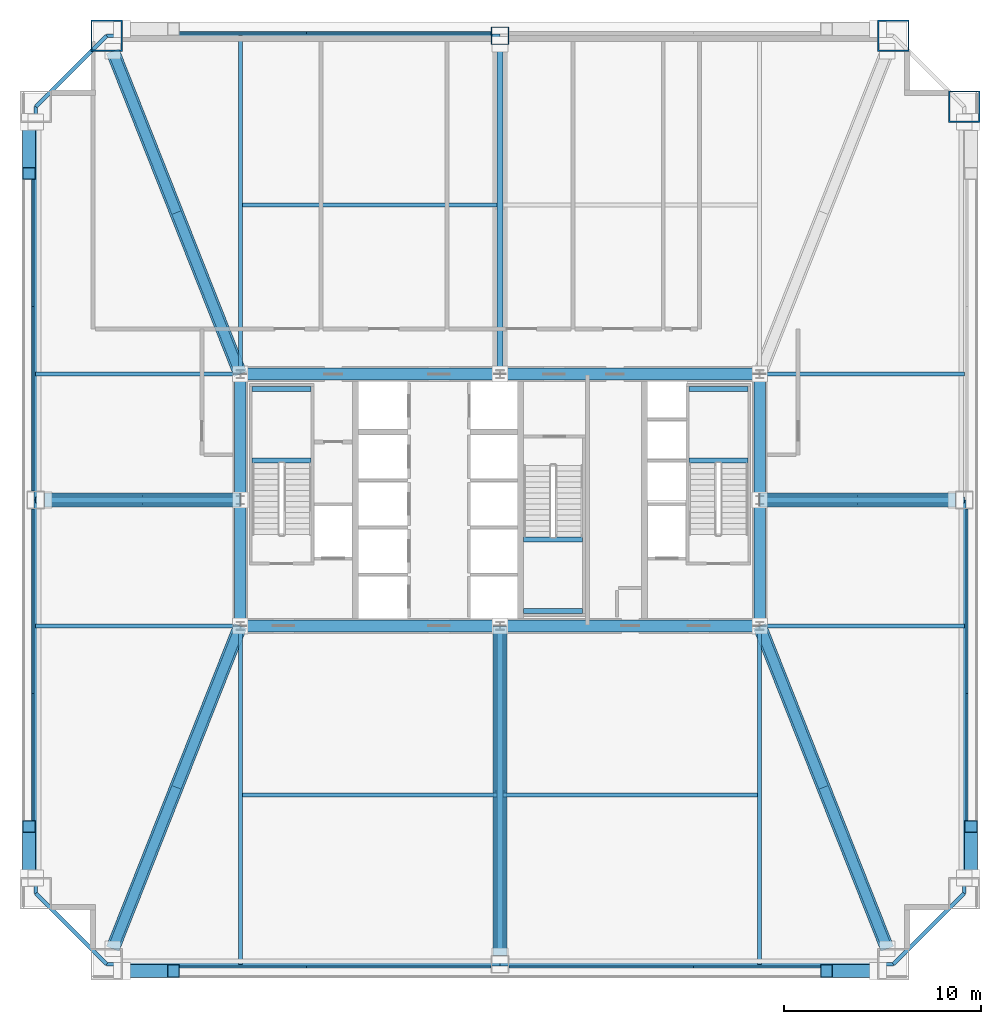
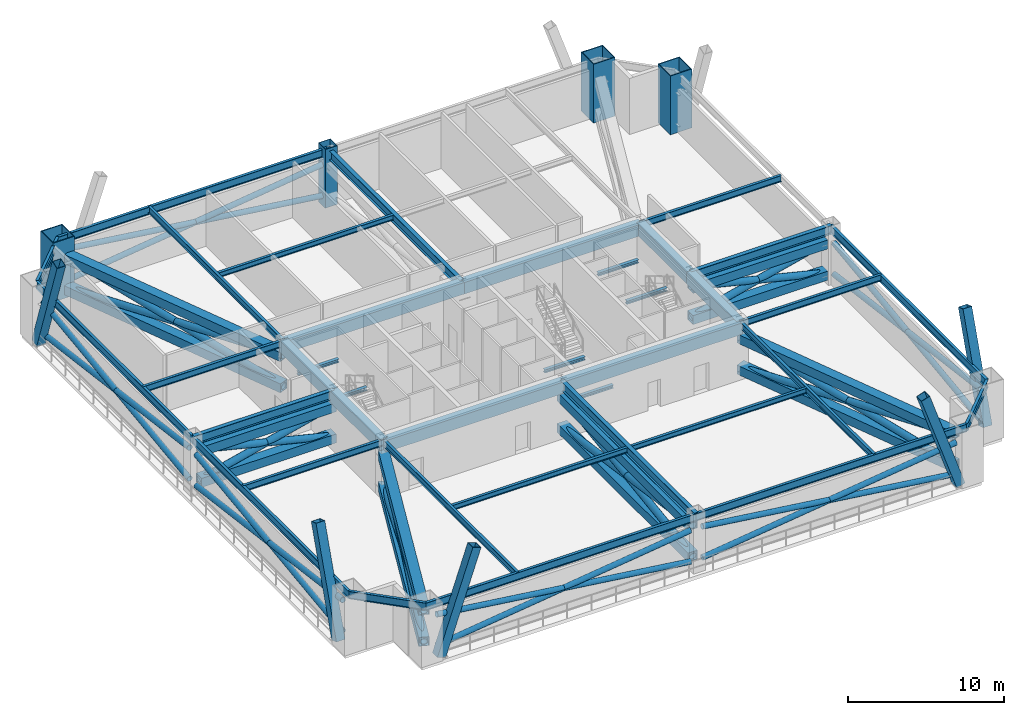
# One storey, part 2 of 10: 41 members, 37 beams, 4 columns.
"""IFC4 building model written with IfcOpenShell, lengths in metres."""

from ifc_helpers import new_model, si_unit, direction, frame, origin, origin_2d, place, context, subcontext, project, spatial, rectangle, hollow_rectangle, hollow_circle, i_section, extrude, source, transform, mapped, material, material_profile, profile_set, type_object, element, save


model = new_model("IFC4")

# Units and contexts
model_context = context("Model", 3, precision=1e-05, world=origin(), true_north=direction((0.0, 1.0)))
body_context = subcontext(model_context, "Body", "Model", "MODEL_VIEW")
ifc_project = project(units=[si_unit("LENGTHUNIT", "METRE"), si_unit("AREAUNIT", "SQUARE_METRE"), si_unit("VOLUMEUNIT", "CUBIC_METRE"), si_unit("PLANEANGLEUNIT", "RADIAN"), si_unit("MASSUNIT", "GRAM", prefix="KILO"), si_unit("THERMODYNAMICTEMPERATUREUNIT", "KELVIN"), si_unit("POWERUNIT", "WATT")], contexts=[model_context])

# Site, building, storey
site_placement = place(None, origin())
site = spatial("IfcSite", under=ifc_project, at=site_placement, CompositionType="ELEMENT")
building_placement = place(site_placement, origin())
building = spatial("IfcBuilding", under=site, at=building_placement, Name="Yuzanri Waterfront Tower", CompositionType="ELEMENT")
storey_placement = place(building_placement, frame((0.0, 0.0, 129.800048828125)))
storey = spatial("IfcBuildingStorey", under=building, at=storey_placement, Name="L34", CompositionType="ELEMENT", Elevation=129.800048828125)

# Columns
ifc_material_1 = material(Name="Steel Q420GJC", Category="steel")
ifc_material_profile_1 = material_profile(ifc_material_1, hollow_rectangle(XDim=1.60009765625, YDim=1.60009765625, WallThickness=0.070068359375, at=origin_2d()), Name="RHS 1600x1600x70")
ifc_profile_set_1 = profile_set([ifc_material_profile_1], Name="Steel Q420GJC")
column_type_1 = type_object("IfcColumnType", Name="Mega Column Q420GJC RHS 1600x1600x70", PredefinedType="COLUMN", material=ifc_profile_set_1)
shared_shape_1 = source(origin(), body_context, "Body", "SweptSolid", [
    extrude(hollow_rectangle(XDim=1.60009765625, YDim=1.60009765625, WallThickness=0.070068359375, at=origin_2d()), origin(), (0.0, 0.0, 1.0), 4.599853515625),
])
for number, where, z_axis, x_axis, name in (
    (1, (17.0, 49.39990234375, 0.0), (0.0, 0.0, 1.0), (1.0, 0.0, 0.0), "L34 Perimeter Mega Column N1"),
    (2, (57.0, 49.39990234375, 0.0), (0.0, 0.0, 1.0), (1.0, 0.0, 0.0), "L34 Perimeter Mega Column N3"),
    (3, (60.60009765625, 45.800048828125, 0.0), (0.0, 0.0, 1.0), (1.0, 0.0, 0.0), "L34 Perimeter Mega Column E3"),
):
    element("IfcColumn", number, at=place(storey_placement, frame(where, z_axis=z_axis, x_axis=x_axis)), inside=storey, type_object=column_type_1, Name=name, PredefinedType="COLUMN", context=body_context, shape_type="MappedRepresentation", body=[
        mapped(shared_shape_1, transform((0.0, 0.0, 0.0), scale=1.0)),
    ])
ifc_material_2 = material(Name="Steel Q390GJC", Category="steel")
ifc_material_profile_2 = material_profile(ifc_material_2, hollow_rectangle(XDim=0.89990234375, YDim=0.89990234375, WallThickness=0.0419921875, at=origin_2d()), Name="RHS 900x900x42")
ifc_profile_set_2 = profile_set([ifc_material_profile_2], Name="Steel Q390GJC")
column_type_2 = type_object("IfcColumnType", Name="Frame Column Q390GJC RHS 900x900x42", PredefinedType="COLUMN", material=ifc_profile_set_2)
shared_shape_2 = source(origin(), body_context, "Body", "SweptSolid", [
    extrude(hollow_rectangle(XDim=0.89990234375, YDim=0.89990234375, WallThickness=0.0419921875, at=origin_2d()), origin(), (0.0, 0.0, 1.0), 4.599853515625),
])
column_placement = place(storey_placement, frame((37.0, 49.39990234375, 0.0), z_axis=(0.0, 0.0, 1.0), x_axis=(1.0, 0.0, 0.0)))
element("IfcColumn", 4, at=column_placement, inside=storey, type_object=column_type_2, Name="L34 Perimeter Frame Column N2", PredefinedType="COLUMN", context=body_context, shape_type="MappedRepresentation", body=[
    mapped(shared_shape_2, transform((0.0, 0.0, 0.0), scale=1.0)),
])

# Beams
ifc_material_3 = material(Name="Concrete C60", Category="concrete")
ifc_material_profile_3 = material_profile(ifc_material_3, rectangle(XDim=0.60009765625, YDim=0.89990234375, at=origin_2d()), Name="RC 600x900")
ifc_profile_set_3 = profile_set([ifc_material_profile_3], Name="Concrete C60")
beam_type_1 = type_object("IfcBeamType", Name="Core Coupling Lintel Concrete C60 600x900", PredefinedType="LINTEL", material=ifc_profile_set_3)
shared_shape_3 = source(origin(), body_context, "Body", "SweptSolid", [
    extrude(rectangle(XDim=0.60009765625, YDim=0.89990234375, at=origin_2d()), origin(), (0.0, 0.0, 1.0), 13.199951171875),
])
for number, where, z_axis, x_axis, name in (
    (5, (23.800048828125, 19.39990234375, 3.929931640625), (1.0, 0.0, 0.0), (0.0, 1.0, 0.0), "L34 Core Tie Beam CS1"),
    (6, (37.0, 19.39990234375, 3.929931640625), (1.0, 0.0, 0.0), (0.0, 1.0, 0.0), "L34 Core Tie Beam CS2"),
    (7, (23.800048828125, 32.199951171875, 3.929931640625), (1.0, 0.0, 0.0), (0.0, 1.0, 0.0), "L34 Core Tie Beam CN1"),
    (8, (37.0, 32.199951171875, 3.929931640625), (1.0, 0.0, 0.0), (0.0, 1.0, 0.0), "L34 Core Tie Beam CN2"),
):
    element("IfcBeam", number, at=place(storey_placement, frame(where, z_axis=z_axis, x_axis=x_axis)), inside=storey, type_object=beam_type_1, Name=name, PredefinedType="LINTEL", context=body_context, shape_type="MappedRepresentation", body=[
        mapped(shared_shape_3, transform((0.0, 0.0, 0.0), scale=1.0)),
    ])
shared_shape_4 = source(origin(), body_context, "Body", "SweptSolid", [
    extrude(rectangle(XDim=0.60009765625, YDim=0.89990234375, at=origin_2d()), origin(), (0.0, 0.0, 1.0), 6.400146484375),
])
for number, where, z_axis, x_axis, name in (
    (9, (23.800048828125, 19.39990234375, 3.929931640625), (0.0, 1.0, 0.0), (-1.0, 0.0, 0.0), "L34 Core Tie Beam CW1"),
    (10, (50.199951171875, 19.39990234375, 3.929931640625), (0.0, 1.0, 0.0), (-1.0, 0.0, 0.0), "L34 Core Tie Beam CE1"),
):
    element("IfcBeam", number, at=place(storey_placement, frame(where, z_axis=z_axis, x_axis=x_axis)), inside=storey, type_object=beam_type_1, Name=name, PredefinedType="LINTEL", context=body_context, shape_type="MappedRepresentation", body=[
        mapped(shared_shape_4, transform((0.0, 0.0, 0.0), scale=1.0)),
    ])
shared_shape_5 = source(origin(), body_context, "Body", "SweptSolid", [
    extrude(rectangle(XDim=0.60009765625, YDim=0.89990234375, at=origin_2d()), origin(), (0.0, 0.0, 1.0), 6.39990234375),
])
for number, where, z_axis, x_axis, name in (
    (11, (23.800048828125, 25.800048828125, 3.929931640625), (0.0, 1.0, 0.0), (-1.0, 0.0, 0.0), "L34 Core Tie Beam CW2"),
    (12, (50.199951171875, 25.800048828125, 3.929931640625), (0.0, 1.0, 0.0), (-1.0, 0.0, 0.0), "L34 Core Tie Beam CE2"),
):
    element("IfcBeam", number, at=place(storey_placement, frame(where, z_axis=z_axis, x_axis=x_axis)), inside=storey, type_object=beam_type_1, Name=name, PredefinedType="LINTEL", context=body_context, shape_type="MappedRepresentation", body=[
        mapped(shared_shape_5, transform((0.0, 0.0, 0.0), scale=1.0)),
    ])
ifc_material_4 = material(Name="Steel Q355B", Category="steel")
ifc_material_profile_4 = material_profile(ifc_material_4, i_section(OverallWidth=0.199951171875, OverallDepth=0.60009765625, WebThickness=0.010986328125, FlangeThickness=0.01708984375, at=origin_2d()), Name="HN 600x200x11x17")
ifc_profile_set_4 = profile_set([ifc_material_profile_4], Name="Steel Q355B")
beam_type_2 = type_object("IfcBeamType", Name="Perimeter Spandrel Q355B HN 600x200", PredefinedType="SPANDREL", material=ifc_profile_set_4)
shared_shape_6 = source(origin(), body_context, "Body", "SweptSolid", [
    extrude(i_section(OverallWidth=0.199951171875, OverallDepth=0.60009765625, WebThickness=0.010986328125, FlangeThickness=0.01708984375, at=origin_2d()), origin(), (0.0, 0.0, 1.0), 5.09130859375),
])
for number, where, z_axis, x_axis, name in (
    (13, (57.0, 2.199951171875, 4.079833984375), (0.707106781187, 0.707106781187, 0.0), (-0.707106781187, 0.707106781187, 0.0), "L34 Perimeter Spandrel S3-E1"),
    (14, (13.39990234375, 5.800048828125, 4.079833984375), (0.707106781187, -0.707106781187, 0.0), (0.707106781187, 0.707106781187, 0.0), "L34 Perimeter Spandrel W1-S1"),
):
    element("IfcBeam", number, at=place(storey_placement, frame(where, z_axis=z_axis, x_axis=x_axis)), inside=storey, type_object=beam_type_2, Name=name, PredefinedType="SPANDREL", context=body_context, shape_type="MappedRepresentation", body=[
        mapped(shared_shape_6, transform((0.0, 0.0, 0.0), scale=1.0)),
    ])
shared_shape_7 = source(origin(), body_context, "Body", "SweptSolid", [
    extrude(i_section(OverallWidth=0.199951171875, OverallDepth=0.60009765625, WebThickness=0.010986328125, FlangeThickness=0.01708984375, at=origin_2d()), origin(), (0.0, 0.0, 1.0), 5.091064453125),
])
beam_placement = place(storey_placement, frame((17.0, 49.39990234375, 4.079833984375), z_axis=(-0.707130757816, -0.707082803744, 0.0), x_axis=(0.707082803744, -0.707130757816, 0.0)))
element("IfcBeam", 15, at=beam_placement, inside=storey, type_object=beam_type_2, Name="L34 Perimeter Spandrel N1-W3", PredefinedType="SPANDREL", context=body_context, shape_type="MappedRepresentation", body=[
    mapped(shared_shape_7, transform((0.0, 0.0, 0.0), scale=1.0)),
])
ifc_material_5 = material(Name="Steel Q355B", Category="steel")
ifc_material_profile_5 = material_profile(ifc_material_5, i_section(OverallWidth=0.199951171875, OverallDepth=0.39990234375, WebThickness=0.008056640625, FlangeThickness=0.012939453125, at=origin_2d()), Name="HN 400x200x8x13")
ifc_profile_set_5 = profile_set([ifc_material_profile_5], Name="Steel Q355B")
beam_type_3 = type_object("IfcBeamType", Name="Floor Joist Q355B HN 400x200", PredefinedType="JOIST", material=ifc_profile_set_5)
shared_shape_8 = source(origin(), body_context, "Body", "SweptSolid", [
    extrude(i_section(OverallWidth=0.199951171875, OverallDepth=0.39990234375, WebThickness=0.008056640625, FlangeThickness=0.012939453125, at=origin_2d()), origin(), (0.0, 0.0, 1.0), 12.9501953125),
])
for number, where, z_axis, x_axis, name in (
    (16, (23.89990234375, 10.800048828125, 4.179931640625), (1.0, 0.0, 0.0), (0.0, 1.0, 0.0), "L34 South Bay Joist W"),
    (17, (37.14990234375, 10.800048828125, 4.179931640625), (1.0, 0.0, 0.0), (0.0, 1.0, 0.0), "L34 South Bay Joist E"),
    (18, (23.89990234375, 40.800048828125, 4.179931640625), (1.0, 0.0, 0.0), (0.0, 1.0, 0.0), "L34 North Bay Joist W"),
):
    element("IfcBeam", number, at=place(storey_placement, frame(where, z_axis=z_axis, x_axis=x_axis)), inside=storey, type_object=beam_type_3, Name=name, PredefinedType="JOIST", context=body_context, shape_type="MappedRepresentation", body=[
        mapped(shared_shape_8, transform((0.0, 0.0, 0.0), scale=1.0)),
    ])
shared_shape_9 = source(origin(), body_context, "Body", "SweptSolid", [
    extrude(i_section(OverallWidth=0.199951171875, OverallDepth=0.60009765625, WebThickness=0.010986328125, FlangeThickness=0.01708984375, at=origin_2d()), origin(), (0.0, 0.0, 1.0), 20.0),
])
for number, where, z_axis, x_axis, name in (
    (19, (17.0, 2.199951171875, 4.079833984375), (1.0, 0.0, 0.0), (0.0, 1.0, 0.0), "L34 Perimeter Spandrel S1-S2"),
    (20, (37.0, 2.199951171875, 4.079833984375), (1.0, 0.0, 0.0), (0.0, 1.0, 0.0), "L34 Perimeter Spandrel S2-S3"),
    (21, (60.60009765625, 5.800048828125, 4.079833984375), (0.0, 1.0, 0.0), (-1.0, 0.0, 0.0), "L34 Perimeter Spandrel E1-E2"),
    (22, (37.0, 49.39990234375, 4.079833984375), (-1.0, 0.0, 0.0), (0.0, -1.0, 0.0), "L34 Perimeter Spandrel N2-N1"),
    (23, (13.39990234375, 45.800048828125, 4.079833984375), (0.0, -1.0, 0.0), (1.0, 0.0, 0.0), "L34 Perimeter Spandrel W3-W2"),
    (24, (13.39990234375, 25.800048828125, 4.079833984375), (0.0, -1.0, 0.0), (1.0, 0.0, 0.0), "L34 Perimeter Spandrel W2-W1"),
):
    element("IfcBeam", number, at=place(storey_placement, frame(where, z_axis=z_axis, x_axis=x_axis)), inside=storey, type_object=beam_type_2, Name=name, PredefinedType="SPANDREL", context=body_context, shape_type="MappedRepresentation", body=[
        mapped(shared_shape_9, transform((0.0, 0.0, 0.0), scale=1.0)),
    ])
ifc_material_6 = material(Name="Steel Q355B", Category="steel")
ifc_material_profile_6 = material_profile(ifc_material_6, i_section(OverallWidth=0.300048828125, OverallDepth=0.699951171875, WebThickness=0.012939453125, FlangeThickness=0.02392578125, at=origin_2d()), Name="HN 700x300x13x24")
ifc_profile_set_6 = profile_set([ifc_material_profile_6], Name="Steel Q355B")
beam_type_4 = type_object("IfcBeamType", Name="Primary Floor Girder Q355B HN 700x300", PredefinedType="BEAM", material=ifc_profile_set_6)
shared_shape_10 = source(origin(), body_context, "Body", "SweptSolid", [
    extrude(i_section(OverallWidth=0.300048828125, OverallDepth=0.699951171875, WebThickness=0.012939453125, FlangeThickness=0.02392578125, at=origin_2d()), origin(), (0.0, 0.0, 1.0), 17.199951171875),
])
for number, where, z_axis, x_axis, name in (
    (25, (37.0, 19.39990234375, 4.030029296875), (0.0, -1.0, 0.0), (1.0, 0.0, 0.0), "L34 South Grid Girder"),
    (26, (37.0, 32.199951171875, 4.030029296875), (0.0, 1.0, 0.0), (-1.0, 0.0, 0.0), "L34 North Grid Girder"),
):
    element("IfcBeam", number, at=place(storey_placement, frame(where, z_axis=z_axis, x_axis=x_axis)), inside=storey, type_object=beam_type_4, Name=name, PredefinedType="BEAM", context=body_context, shape_type="MappedRepresentation", body=[
        mapped(shared_shape_10, transform((0.0, 0.0, 0.0), scale=1.0)),
    ])
shared_shape_11 = source(origin(), body_context, "Body", "SweptSolid", [
    extrude(i_section(OverallWidth=0.300048828125, OverallDepth=0.699951171875, WebThickness=0.012939453125, FlangeThickness=0.02392578125, at=origin_2d()), origin(), (0.0, 0.0, 1.0), 10.400146484375),
])
for number, where, z_axis, x_axis, name in (
    (27, (23.800048828125, 25.800048828125, 4.030029296875), (-1.0, 0.0, 0.0), (0.0, -1.0, 0.0), "L34 West Grid Girder"),
    (28, (50.199951171875, 25.800048828125, 4.030029296875), (1.0, 0.0, 0.0), (0.0, 1.0, 0.0), "L34 East Grid Girder"),
):
    element("IfcBeam", number, at=place(storey_placement, frame(where, z_axis=z_axis, x_axis=x_axis)), inside=storey, type_object=beam_type_4, Name=name, PredefinedType="BEAM", context=body_context, shape_type="MappedRepresentation", body=[
        mapped(shared_shape_11, transform((0.0, 0.0, 0.0), scale=1.0)),
    ])
ifc_material_7 = material(Name="Steel Q355B", Category="steel")
ifc_material_profile_7 = material_profile(ifc_material_7, i_section(OverallWidth=0.199951171875, OverallDepth=0.5, WebThickness=0.010009765625, FlangeThickness=0.01611328125, at=origin_2d()), Name="HN 500x200x10x16")
ifc_profile_set_7 = profile_set([ifc_material_profile_7], Name="Steel Q355B")
beam_type_5 = type_object("IfcBeamType", Name="Secondary Floor Beam Q355B HN 500x200", PredefinedType="BEAM", material=ifc_profile_set_7)
shared_shape_12 = source(origin(), body_context, "Body", "SweptSolid", [
    extrude(i_section(OverallWidth=0.199951171875, OverallDepth=0.5, WebThickness=0.010009765625, FlangeThickness=0.01611328125, at=origin_2d()), origin(), (0.0, 0.0, 1.0), 17.199951171875),
])
for number, where, z_axis, x_axis, name in (
    (29, (23.800048828125, 19.39990234375, 4.1298828125), (0.0, -1.0, 0.0), (1.0, 0.0, 0.0), "L34 South-West Core Line Beam"),
    (30, (50.199951171875, 19.39990234375, 4.1298828125), (0.0, -1.0, 0.0), (1.0, 0.0, 0.0), "L34 South-East Core Line Beam"),
    (31, (23.800048828125, 32.199951171875, 4.1298828125), (0.0, 1.0, 0.0), (-1.0, 0.0, 0.0), "L34 North-West Core Line Beam"),
):
    element("IfcBeam", number, at=place(storey_placement, frame(where, z_axis=z_axis, x_axis=x_axis)), inside=storey, type_object=beam_type_5, Name=name, PredefinedType="BEAM", context=body_context, shape_type="MappedRepresentation", body=[
        mapped(shared_shape_12, transform((0.0, 0.0, 0.0), scale=1.0)),
    ])
shared_shape_13 = source(origin(), body_context, "Body", "SweptSolid", [
    extrude(i_section(OverallWidth=0.199951171875, OverallDepth=0.5, WebThickness=0.010009765625, FlangeThickness=0.01611328125, at=origin_2d()), origin(), (0.0, 0.0, 1.0), 10.400146484375),
])
for number, where, z_axis, x_axis, name in (
    (32, (23.800048828125, 19.39990234375, 4.1298828125), (-1.0, 0.0, 0.0), (0.0, -1.0, 0.0), "L34 West-South Core Line Beam"),
    (33, (23.800048828125, 32.199951171875, 4.1298828125), (-1.0, 0.0, 0.0), (0.0, -1.0, 0.0), "L34 West-North Core Line Beam"),
    (34, (50.199951171875, 19.39990234375, 4.1298828125), (1.0, 0.0, 0.0), (0.0, 1.0, 0.0), "L34 East-South Core Line Beam"),
    (35, (50.199951171875, 32.199951171875, 4.1298828125), (1.0, 0.0, 0.0), (0.0, 1.0, 0.0), "L34 East-North Core Line Beam"),
):
    element("IfcBeam", number, at=place(storey_placement, frame(where, z_axis=z_axis, x_axis=x_axis)), inside=storey, type_object=beam_type_5, Name=name, PredefinedType="BEAM", context=body_context, shape_type="MappedRepresentation", body=[
        mapped(shared_shape_13, transform((0.0, 0.0, 0.0), scale=1.0)),
    ])

# Members
ifc_material_8 = material(Name="Steel Q420GJC", Category="steel")
ifc_material_profile_8 = material_profile(ifc_material_8, hollow_rectangle(XDim=0.64990234375, YDim=0.64990234375, WallThickness=0.028076171875, at=origin_2d()), Name="RHS 650x650x28")
ifc_profile_set_8 = profile_set([ifc_material_profile_8], Name="Steel Q420GJC")
member_type_1 = type_object("IfcMemberType", Name="Mega Brace Lower Q420GJC RHS 650x650x28", PredefinedType="BRACE", material=ifc_profile_set_8)
shared_shape_14 = source(origin(), body_context, "Body", "SweptSolid", [
    extrude(hollow_rectangle(XDim=0.64990234375, YDim=0.64990234375, WallThickness=0.028076171875, at=origin_2d()), origin(), (0.0, 0.0, 1.0), 8.133544921875),
])
for number, where, z_axis, x_axis, name in (
    (36, (17.780029296875, 1.860107421875, 0.179931640625), (0.32211098158, 0.0, 0.946701914831), (0.0, 1.0, 0.0), "L34-L35 Perimeter Mega-Brace S-L"),
    (37, (56.219970703125, 1.860107421875, 0.179931640625), (-0.32211098158, 0.0, 0.946701914831), (0.0, -1.0, 0.0), "L34-L35 Perimeter Mega-Brace S-R"),
    (38, (13.06005859375, 6.580078125, 0.179931640625), (0.0, 0.32211098158, 0.946701914831), (-1.0, 0.0, 0.0), "L34-L35 Perimeter Mega-Brace W-L"),
    (39, (13.06005859375, 45.02001953125, 0.179931640625), (0.0, -0.322137883641, 0.946692761102), (1.0, 0.0, 0.0), "L34-L35 Perimeter Mega-Brace W-R"),
    (40, (60.93994140625, 6.580078125, 0.179931640625), (0.0, 0.32211098158, 0.946701914831), (-1.0, 0.0, 0.0), "L34-L35 Perimeter Mega-Brace E-L"),
):
    element("IfcMember", number, at=place(storey_placement, frame(where, z_axis=z_axis, x_axis=x_axis)), inside=storey, type_object=member_type_1, Name=name, PredefinedType="BRACE", context=body_context, shape_type="MappedRepresentation", body=[
        mapped(shared_shape_14, transform((0.0, 0.0, 0.0), scale=1.0)),
    ])
ifc_material_9 = material(Name="Steel Q420GJC", Category="steel")
ifc_material_profile_9 = material_profile(ifc_material_9, hollow_rectangle(XDim=0.699951171875, YDim=0.699951171875, WallThickness=0.031982421875, at=origin_2d()), Name="RHS 700x700x32")
ifc_profile_set_9 = profile_set([ifc_material_profile_9], Name="Steel Q420GJC")
member_type_2 = type_object("IfcMemberType", Name="Outrigger Chord Q420GJC RHS 700x700x32", PredefinedType="CHORD", material=ifc_profile_set_9)
shared_shape_15 = source(origin(), body_context, "Body", "SweptSolid", [
    extrude(hollow_rectangle(XDim=0.699951171875, YDim=0.699951171875, WallThickness=0.031982421875, at=origin_2d()), origin(), (0.0, 0.0, 1.0), 16.764892578125),
])
for number, where, z_axis, x_axis, name in (
    (41, (37.0, 19.39990234375, 0.719970703125), (0.0, -1.0, 0.0), (1.0, 0.0, 0.0), "L34 Outrigger Bottom Chord S2"),
    (42, (37.0, 19.39990234375, 3.159912109375), (0.0, -1.0, 0.0), (1.0, 0.0, 0.0), "L34 Outrigger Top Chord S2"),
):
    element("IfcMember", number, at=place(storey_placement, frame(where, z_axis=z_axis, x_axis=x_axis)), inside=storey, type_object=member_type_2, Name=name, PredefinedType="CHORD", context=body_context, shape_type="MappedRepresentation", body=[
        mapped(shared_shape_15, transform((0.0, 0.0, 0.0), scale=1.0)),
    ])
ifc_material_10 = material(Name="Steel Q420GJC", Category="steel")
ifc_material_profile_10 = material_profile(ifc_material_10, hollow_circle(Radius=0.25390625, WallThickness=0.02001953125, at=origin_2d()), Name="CHS 508x20")
ifc_profile_set_10 = profile_set([ifc_material_profile_10], Name="Steel Q420GJC")
member_type_3 = type_object("IfcMemberType", Name="Outrigger Diagonal Q420GJC CHS 508x20", PredefinedType="BRACE", material=ifc_profile_set_10)
shared_shape_16 = source(origin(), body_context, "Body", "SweptSolid", [
    extrude(hollow_circle(Radius=0.25390625, WallThickness=0.02001953125, at=origin_2d()), origin(), (0.0, 0.0, 1.0), 16.94140625),
])
for number, where, z_axis, x_axis, name in (
    (43, (37.0, 19.39990234375, 0.719970703125), (0.0, -0.989574567662, 0.144021439503), (1.0, 0.0, 0.0), "L34 Outrigger Diagonal 1 S2"),
    (44, (37.0, 19.39990234375, 3.159912109375), (0.0, -0.989574567662, -0.144021439503), (1.0, 0.0, 0.0), "L34 Outrigger Diagonal 2 S2"),
):
    element("IfcMember", number, at=place(storey_placement, frame(where, z_axis=z_axis, x_axis=x_axis)), inside=storey, type_object=member_type_3, Name=name, PredefinedType="BRACE", context=body_context, shape_type="MappedRepresentation", body=[
        mapped(shared_shape_16, transform((0.0, 0.0, 0.0), scale=1.0)),
    ])
shared_shape_17 = source(origin(), body_context, "Body", "SweptSolid", [
    extrude(hollow_rectangle(XDim=0.699951171875, YDim=0.699951171875, WallThickness=0.031982421875, at=origin_2d()), origin(), (0.0, 0.0, 1.0), 9.965087890625),
])
for number, where, z_axis, x_axis, name in (
    (45, (23.800048828125, 25.800048828125, 0.719970703125), (-1.0, 0.0, 0.0), (0.0, -1.0, 0.0), "L34 Outrigger Bottom Chord W2"),
    (46, (23.800048828125, 25.800048828125, 3.159912109375), (-1.0, 0.0, 0.0), (0.0, -1.0, 0.0), "L34 Outrigger Top Chord W2"),
    (47, (50.199951171875, 25.800048828125, 0.719970703125), (1.0, 0.0, 0.0), (0.0, 1.0, 0.0), "L34 Outrigger Bottom Chord E2"),
    (48, (50.199951171875, 25.800048828125, 3.159912109375), (1.0, 0.0, 0.0), (0.0, 1.0, 0.0), "L34 Outrigger Top Chord E2"),
):
    element("IfcMember", number, at=place(storey_placement, frame(where, z_axis=z_axis, x_axis=x_axis)), inside=storey, type_object=member_type_2, Name=name, PredefinedType="CHORD", context=body_context, shape_type="MappedRepresentation", body=[
        mapped(shared_shape_17, transform((0.0, 0.0, 0.0), scale=1.0)),
    ])
shared_shape_18 = source(origin(), body_context, "Body", "SweptSolid", [
    extrude(hollow_circle(Radius=0.25390625, WallThickness=0.02001953125, at=origin_2d()), origin(), (0.0, 0.0, 1.0), 10.259521484375),
])
for number, where, z_axis, x_axis, name in (
    (49, (23.800048828125, 25.800048828125, 0.719970703125), (-0.971308306615, 0.0, 0.237823828706), (0.0, -1.0, 0.0), "L34 Outrigger Diagonal 1 W2"),
    (50, (23.800048828125, 25.800048828125, 3.159912109375), (-0.971308306615, 0.0, -0.237823828706), (0.0, -1.0, 0.0), "L34 Outrigger Diagonal 2 W2"),
    (51, (50.199951171875, 25.800048828125, 0.719970703125), (0.971308306615, 0.0, 0.237823828706), (0.0, 1.0, 0.0), "L34 Outrigger Diagonal 1 E2"),
    (52, (50.199951171875, 25.800048828125, 3.159912109375), (0.971308306615, 0.0, -0.237823828706), (0.0, 1.0, 0.0), "L34 Outrigger Diagonal 2 E2"),
):
    element("IfcMember", number, at=place(storey_placement, frame(where, z_axis=z_axis, x_axis=x_axis)), inside=storey, type_object=member_type_3, Name=name, PredefinedType="BRACE", context=body_context, shape_type="MappedRepresentation", body=[
        mapped(shared_shape_18, transform((0.0, 0.0, 0.0), scale=1.0)),
    ])
shared_shape_19 = source(origin(), body_context, "Body", "SweptSolid", [
    extrude(hollow_rectangle(XDim=0.699951171875, YDim=0.699951171875, WallThickness=0.031982421875, at=origin_2d()), origin(), (0.0, 0.0, 1.0), 17.651123046875),
])
for number, where, z_axis, x_axis, name in (
    (53, (23.800048828125, 19.39990234375, 0.719970703125), (-0.367667512984, -0.929957310792, 0.0), (0.929957310792, -0.367667512984, 0.0), "L34 Outrigger Bottom Chord S1"),
    (54, (23.800048828125, 19.39990234375, 3.159912109375), (-0.367667512984, -0.929957310792, 0.0), (0.929957310792, -0.367667512984, 0.0), "L34 Outrigger Top Chord S1"),
    (55, (50.199951171875, 19.39990234375, 0.719970703125), (0.367667512984, -0.929957310792, 0.0), (0.929957310792, 0.367667512984, 0.0), "L34 Outrigger Bottom Chord S3"),
    (56, (50.199951171875, 19.39990234375, 3.159912109375), (0.367667512984, -0.929957310792, 0.0), (0.929957310792, 0.367667512984, 0.0), "L34 Outrigger Top Chord S3"),
):
    element("IfcMember", number, at=place(storey_placement, frame(where, z_axis=z_axis, x_axis=x_axis)), inside=storey, type_object=member_type_2, Name=name, PredefinedType="CHORD", context=body_context, shape_type="MappedRepresentation", body=[
        mapped(shared_shape_19, transform((0.0, 0.0, 0.0), scale=1.0)),
    ])
shared_shape_20 = source(origin(), body_context, "Body", "SweptSolid", [
    extrude(hollow_circle(Radius=0.25390625, WallThickness=0.02001953125, at=origin_2d()), origin(), (0.0, 0.0, 1.0), 17.81884765625),
])
for number, where, z_axis, x_axis, name in (
    (57, (23.800048828125, 19.39990234375, 0.719970703125), (-0.364204380086, -0.921197859269, 0.136929447543), (0.929957310792, -0.367667512984, 0.0), "L34 Outrigger Diagonal 1 S1"),
    (58, (23.800048828125, 19.39990234375, 3.159912109375), (-0.364204380086, -0.921197859269, -0.136929447543), (0.929957310792, -0.367667512984, 0.0), "L34 Outrigger Diagonal 2 S1"),
    (59, (50.199951171875, 19.39990234375, 0.719970703125), (0.364204380086, -0.921197859269, 0.136929447543), (0.929957310792, 0.367667512984, 0.0), "L34 Outrigger Diagonal 1 S3"),
    (60, (50.199951171875, 19.39990234375, 3.159912109375), (0.364204380086, -0.921197859269, -0.136929447543), (0.929957310792, 0.367667512984, 0.0), "L34 Outrigger Diagonal 2 S3"),
):
    element("IfcMember", number, at=place(storey_placement, frame(where, z_axis=z_axis, x_axis=x_axis)), inside=storey, type_object=member_type_3, Name=name, PredefinedType="BRACE", context=body_context, shape_type="MappedRepresentation", body=[
        mapped(shared_shape_20, transform((0.0, 0.0, 0.0), scale=1.0)),
    ])
shared_shape_21 = source(origin(), body_context, "Body", "SweptSolid", [
    extrude(hollow_rectangle(XDim=0.699951171875, YDim=0.699951171875, WallThickness=0.031982421875, at=origin_2d()), origin(), (0.0, 0.0, 1.0), 17.6513671875),
])
for number, where, z_axis, x_axis, name in (
    (61, (23.800048828125, 32.199951171875, 0.719970703125), (-0.36766278386, 0.929959180483, 0.0), (-0.929959180483, -0.36766278386, 0.0), "L34 Outrigger Bottom Chord N1"),
    (62, (23.800048828125, 32.199951171875, 3.159912109375), (-0.36766278386, 0.929959180483, 0.0), (-0.929959180483, -0.36766278386, 0.0), "L34 Outrigger Top Chord N1"),
):
    element("IfcMember", number, at=place(storey_placement, frame(where, z_axis=z_axis, x_axis=x_axis)), inside=storey, type_object=member_type_2, Name=name, PredefinedType="CHORD", context=body_context, shape_type="MappedRepresentation", body=[
        mapped(shared_shape_21, transform((0.0, 0.0, 0.0), scale=1.0)),
    ])
shared_shape_22 = source(origin(), body_context, "Body", "SweptSolid", [
    extrude(hollow_circle(Radius=0.25390625, WallThickness=0.02001953125, at=origin_2d()), origin(), (0.0, 0.0, 1.0), 17.819091796875),
])
for number, where, z_axis, x_axis, name in (
    (63, (23.800048828125, 32.199951171875, 0.719970703125), (-0.364199783339, 0.921199933511, 0.13692771931), (-0.929959180483, -0.36766278386, 0.0), "L34 Outrigger Diagonal 1 N1"),
    (64, (23.800048828125, 32.199951171875, 3.159912109375), (-0.364199783339, 0.921199933511, -0.13692771931), (-0.929959180483, -0.36766278386, 0.0), "L34 Outrigger Diagonal 2 N1"),
):
    element("IfcMember", number, at=place(storey_placement, frame(where, z_axis=z_axis, x_axis=x_axis)), inside=storey, type_object=member_type_3, Name=name, PredefinedType="BRACE", context=body_context, shape_type="MappedRepresentation", body=[
        mapped(shared_shape_22, transform((0.0, 0.0, 0.0), scale=1.0)),
    ])
ifc_material_11 = material(Name="Steel Q390GJC", Category="steel")
ifc_material_profile_11 = material_profile(ifc_material_11, hollow_circle(Radius=0.202880859375, WallThickness=0.01611328125, at=origin_2d()), Name="CHS 406x16")
ifc_profile_set_11 = profile_set([ifc_material_profile_11], Name="Steel Q390GJC")
member_type_4 = type_object("IfcMemberType", Name="Belt Truss Strut Q390GJC CHS 406x16", PredefinedType="STRUT", material=ifc_profile_set_11)
shared_shape_23 = source(origin(), body_context, "Body", "SweptSolid", [
    extrude(hollow_circle(Radius=0.202880859375, WallThickness=0.01611328125, at=origin_2d()), origin(), (0.0, 0.0, 1.0), 18.93798828125),
])
for number, where, z_axis, x_axis, name in (
    (65, (17.784912109375, 2.199951171875, 0.719970703125), (0.991665486339, 0.0, 0.128839292155), (0.0, 1.0, 0.0), "L34 Belt Truss Diagonal S1-S2 A"),
    (66, (17.784912109375, 2.199951171875, 3.159912109375), (0.991665486339, 0.0, -0.128839292155), (0.0, 1.0, 0.0), "L34 Belt Truss Diagonal S1-S2 B"),
    (67, (37.43505859375, 2.199951171875, 0.719970703125), (0.991665486339, 0.0, 0.128839292155), (0.0, 1.0, 0.0), "L34 Belt Truss Diagonal S2-S3 A"),
    (68, (37.43505859375, 2.199951171875, 3.159912109375), (0.991665486339, 0.0, -0.128839292155), (0.0, 1.0, 0.0), "L34 Belt Truss Diagonal S2-S3 B"),
    (69, (17.784912109375, 49.39990234375, 0.719970703125), (0.991665486339, 0.0, 0.128839292155), (0.0, 1.0, 0.0), "L34 Belt Truss Diagonal N1-N2 A"),
    (70, (17.784912109375, 49.39990234375, 3.159912109375), (0.991665486339, 0.0, -0.128839292155), (0.0, 1.0, 0.0), "L34 Belt Truss Diagonal N1-N2 B"),
    (71, (13.39990234375, 6.5849609375, 0.719970703125), (0.0, 0.991665486339, 0.128839292155), (-1.0, 0.0, 0.0), "L34 Belt Truss Diagonal W1-W2 A"),
    (72, (13.39990234375, 6.5849609375, 3.159912109375), (0.0, 0.991665486339, -0.128839292155), (-1.0, 0.0, 0.0), "L34 Belt Truss Diagonal W1-W2 B"),
    (73, (60.60009765625, 6.5849609375, 0.719970703125), (0.0, 0.991665486339, 0.128839292155), (-1.0, 0.0, 0.0), "L34 Belt Truss Diagonal E1-E2 A"),
    (74, (60.60009765625, 6.5849609375, 3.159912109375), (0.0, 0.991665486339, -0.128839292155), (-1.0, 0.0, 0.0), "L34 Belt Truss Diagonal E1-E2 B"),
):
    element("IfcMember", number, at=place(storey_placement, frame(where, z_axis=z_axis, x_axis=x_axis)), inside=storey, type_object=member_type_4, Name=name, PredefinedType="STRUT", context=body_context, shape_type="MappedRepresentation", body=[
        mapped(shared_shape_23, transform((0.0, 0.0, 0.0), scale=1.0)),
    ])
shared_shape_24 = source(origin(), body_context, "Body", "SweptSolid", [
    extrude(hollow_circle(Radius=0.202880859375, WallThickness=0.01611328125, at=origin_2d()), origin(), (0.0, 0.0, 1.0), 18.937744140625),
])
for number, where, z_axis, x_axis, name in (
    (75, (13.39990234375, 26.235107421875, 0.719970703125), (0.0, 0.991665272339, 0.128840939286), (-1.0, 0.0, 0.0), "L34 Belt Truss Diagonal W2-W3 A"),
    (76, (13.39990234375, 26.235107421875, 3.159912109375), (0.0, 0.991665272339, -0.128840939286), (-1.0, 0.0, 0.0), "L34 Belt Truss Diagonal W2-W3 B"),
):
    element("IfcMember", number, at=place(storey_placement, frame(where, z_axis=z_axis, x_axis=x_axis)), inside=storey, type_object=member_type_4, Name=name, PredefinedType="STRUT", context=body_context, shape_type="MappedRepresentation", body=[
        mapped(shared_shape_24, transform((0.0, 0.0, 0.0), scale=1.0)),
    ])

# Beams
ifc_material_12 = material(Name="Steel Q355B", Category="steel")
ifc_material_profile_12 = material_profile(ifc_material_12, i_section(OverallWidth=0.25, OverallDepth=0.25, WebThickness=0.009033203125, FlangeThickness=0.013916015625, at=origin_2d()), Name="HW 250x250x9x14")
ifc_profile_set_12 = profile_set([ifc_material_profile_12], Name="Steel Q355B")
beam_type_6 = type_object("IfcBeamType", Name="Stair Landing Support Beam Q355B HW 250x250", PredefinedType="BEAM", material=ifc_profile_set_12)
shared_shape_25 = source(origin(), body_context, "Body", "SweptSolid", [
    extrude(i_section(OverallWidth=0.25, OverallDepth=0.25, WebThickness=0.009033203125, FlangeThickness=0.013916015625, at=origin_2d()), origin(), (0.0, 0.0, 1.0), 3.0),
])
for number, where, z_axis, x_axis, name in (
    (77, (24.39990234375, 27.81005859375, 1.974853515625), (1.0, 0.0, 0.0), (0.0, 1.0, 0.0), "L34 Stair Landing Support Beam ST-01-L34-L1-1"),
    (78, (24.39990234375, 31.449951171875, 1.974853515625), (1.0, 0.0, 0.0), (0.0, 1.0, 0.0), "L34 Stair Landing Support Beam ST-01-L34-L1-2"),
    (79, (46.60009765625, 27.81005859375, 1.974853515625), (1.0, 0.0, 0.0), (0.0, 1.0, 0.0), "L34 Stair Landing Support Beam ST-02-L34-L1-1"),
    (80, (46.60009765625, 31.449951171875, 1.974853515625), (1.0, 0.0, 0.0), (0.0, 1.0, 0.0), "L34 Stair Landing Support Beam ST-02-L34-L1-2"),
    (81, (38.199951171875, 20.14990234375, 1.974853515625), (1.0, 0.0, 0.0), (0.0, 1.0, 0.0), "L34 Stair Landing Support Beam ST-03-L34-L1-1"),
    (82, (38.199951171875, 23.7900390625, 1.974853515625), (1.0, 0.0, 0.0), (0.0, 1.0, 0.0), "L34 Stair Landing Support Beam ST-03-L34-L1-2"),
):
    element("IfcBeam", number, at=place(storey_placement, frame(where, z_axis=z_axis, x_axis=x_axis)), inside=storey, type_object=beam_type_6, Name=name, PredefinedType="BEAM", context=body_context, shape_type="MappedRepresentation", body=[
        mapped(shared_shape_25, transform((0.0, 0.0, 0.0), scale=1.0)),
    ])

save(model, "model.ifc")
